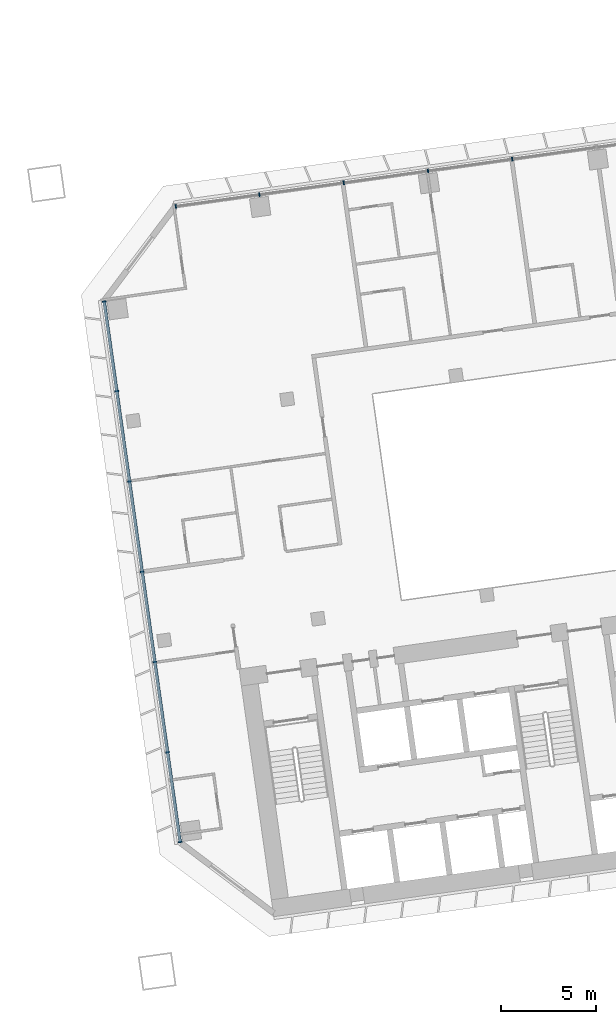
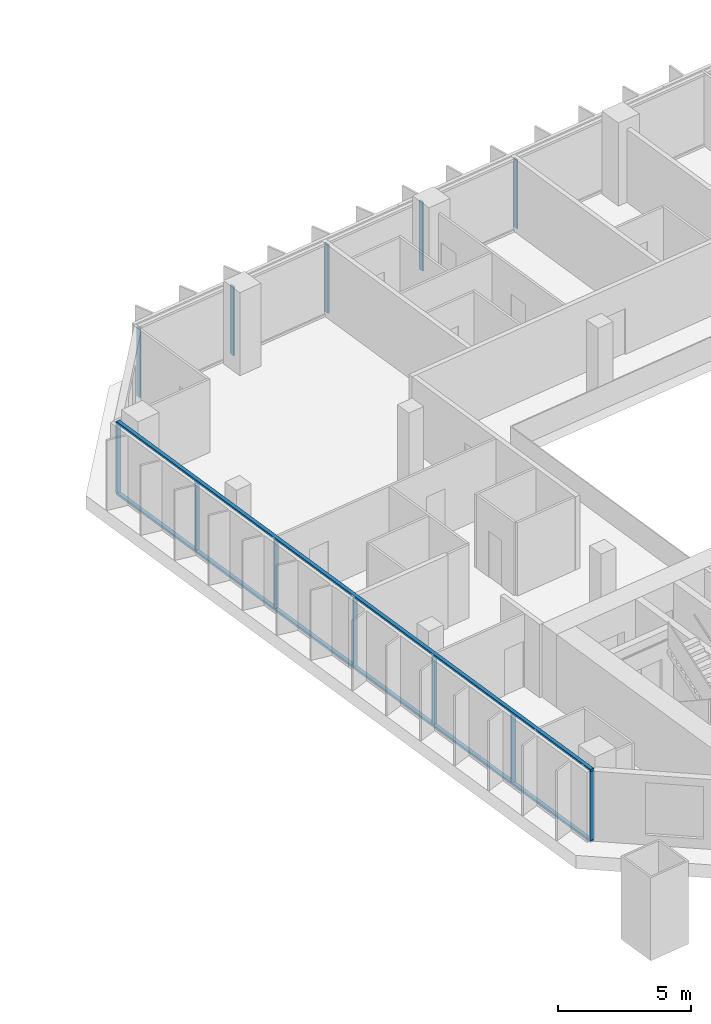
# One storey, part 7 of 25: 14 members, 2 elements without a shape of their own.
"""IFC4 building model written with IfcOpenShell, lengths in metres."""

from ifc_helpers import new_model, si_unit, direction, frame, origin, origin_2d, place, context, subcontext, project, spatial, rectangle, extrude, material, material_profile, profile_set, type_object, element, aggregate, save


model = new_model("IFC4")

# Units and contexts
model_context = context("Model", 3, precision=1e-05, world=origin(), true_north=direction((0.0, 1.0)))
body_context = subcontext(model_context, "Body", "Model", "MODEL_VIEW")
ifc_project = project(units=[si_unit("LENGTHUNIT", "METRE"), si_unit("AREAUNIT", "SQUARE_METRE"), si_unit("VOLUMEUNIT", "CUBIC_METRE"), si_unit("PLANEANGLEUNIT", "RADIAN"), si_unit("MASSUNIT", "GRAM", prefix="KILO")], contexts=[model_context])

# Site, building, storey
site_placement = place(None, origin())
site = spatial("IfcSite", under=ifc_project, at=site_placement, CompositionType="ELEMENT")
building_placement = place(site_placement, origin())
building = spatial("IfcBuilding", under=site, at=building_placement, Name="Mirante Cascada Hotel Towers", CompositionType="ELEMENT")
storey_placement = place(building_placement, frame((0.0, 0.0, 58.5)))
storey = spatial("IfcBuildingStorey", under=building, at=storey_placement, Name="L11", CompositionType="ELEMENT", Elevation=58.5)

# Curtain wall, members
ifc_material_1 = material(Name="Aluminium mullion and transom frame with clear laminated glass", Category="aluminium")
curtain_wall_type_1 = type_object("IfcCurtainWallType", Name="Ribbon curtain wall ECW1", PredefinedType="NOTDEFINED", material=ifc_material_1)
curtain_wall_1_placement = place(storey_placement, origin())
curtain_wall_1 = element("IfcCurtainWall", 1, at=curtain_wall_1_placement, inside=storey, type_object=curtain_wall_type_1, Name="Front ribbon wall T2 L11", PredefinedType="NOTDEFINED")
ifc_material_2 = material(Name="Anodised aluminium extrusion", Category="aluminium")
ifc_material_profile_1 = material_profile(ifc_material_2, rectangle(XDim=0.2, YDim=0.065, at=origin_2d()), Name="ECW1 MULLION 65x200")
ifc_profile_set_1 = profile_set([ifc_material_profile_1], Name="Anodised aluminium extrusion")
member_type_1 = type_object("IfcMemberType", Name="ECW1 mullion 65x200", PredefinedType="MULLION", material=ifc_profile_set_1)
member_1_placement = place(storey_placement, frame((49.684, 19.8017, 0.1), z_axis=(0.0, 0.0, 1.0), x_axis=(0.1391731, -0.9902681, 0.0)))
member_1 = element("IfcMember", 2, at=member_1_placement, type_object=member_type_1, Name="ECW1 mullion 11", PredefinedType="MULLION", context=body_context, shape_type="SweptSolid", body=[
    extrude(rectangle(XDim=0.2, YDim=0.065, at=origin_2d()), origin(), (0.0, 0.0, 1.0), 3.15),
])
member_2_placement = place(storey_placement, frame((45.2366, 19.1766, 0.1), z_axis=(0.0, 0.0, 1.0), x_axis=(0.1391731, -0.9902681, 0.0)))
member_2 = element("IfcMember", 3, at=member_2_placement, type_object=member_type_1, Name="ECW1 mullion 12", PredefinedType="MULLION", context=body_context, shape_type="SweptSolid", body=[
    extrude(rectangle(XDim=0.2, YDim=0.065, at=origin_2d()), origin(), (0.0, 0.0, 1.0), 3.15),
])
member_3_placement = place(storey_placement, frame((40.7892, 18.5516, 0.1), z_axis=(0.0, 0.0, 1.0), x_axis=(0.1391731, -0.9902681, 0.0)))
member_3 = element("IfcMember", 4, at=member_3_placement, type_object=member_type_1, Name="ECW1 mullion 13", PredefinedType="MULLION", context=body_context, shape_type="SweptSolid", body=[
    extrude(rectangle(XDim=0.2, YDim=0.065, at=origin_2d()), origin(), (0.0, 0.0, 1.0), 3.15),
])
member_4_placement = place(storey_placement, frame((36.3417, 17.9265, 0.1), z_axis=(0.0, 0.0, 1.0), x_axis=(0.1391731, -0.9902681, 0.0)))
member_4 = element("IfcMember", 5, at=member_4_placement, type_object=member_type_1, Name="ECW1 mullion 14", PredefinedType="MULLION", context=body_context, shape_type="SweptSolid", body=[
    extrude(rectangle(XDim=0.2, YDim=0.065, at=origin_2d()), origin(), (0.0, 0.0, 1.0), 3.15),
])
member_5_placement = place(storey_placement, frame((31.9265, 17.306, 0.1), z_axis=(0.0, 0.0, 1.0), x_axis=(0.1391731, -0.9902681, 0.0)))
member_5 = element("IfcMember", 6, at=member_5_placement, type_object=member_type_1, Name="ECW1 mullion 15", PredefinedType="MULLION", context=body_context, shape_type="SweptSolid", body=[
    extrude(rectangle(XDim=0.2, YDim=0.065, at=origin_2d()), origin(), (0.0, 0.0, 1.0), 3.15),
])
aggregate(curtain_wall_1, [member_1, member_2, member_3, member_4, member_5])

ifc_material_3 = material(Name="Aluminium mullion and transom frame with clear laminated glass", Category="aluminium")
curtain_wall_type_2 = type_object("IfcCurtainWallType", Name="End ribbon curtain wall ECW2", PredefinedType="NOTDEFINED", material=ifc_material_3)
curtain_wall_2_placement = place(storey_placement, origin())
curtain_wall_2 = element("IfcCurtainWall", 7, at=curtain_wall_2_placement, inside=storey, type_object=curtain_wall_type_2, Name="Inner end wall T2 L11", PredefinedType="NOTDEFINED")
ifc_material_4 = material(Name="Anodised aluminium extrusion", Category="aluminium")
ifc_material_profile_2 = material_profile(ifc_material_4, rectangle(XDim=0.2, YDim=0.065, at=origin_2d()), Name="ECW2 MULLION 65x200")
ifc_profile_set_2 = profile_set([ifc_material_profile_2], Name="Anodised aluminium extrusion")
member_type_2 = type_object("IfcMemberType", Name="ECW2 mullion 65x200", PredefinedType="MULLION", material=ifc_profile_set_2)
member_6_placement = place(storey_placement, frame((28.1437, 12.2861, 0.1), z_axis=(0.0, 0.0, 1.0), x_axis=(0.9902681, 0.1391731, 0.0)))
member_6 = element("IfcMember", 8, at=member_6_placement, type_object=member_type_2, Name="ECW2 mullion 1", PredefinedType="MULLION", context=body_context, shape_type="SweptSolid", body=[
    extrude(rectangle(XDim=0.2, YDim=0.065, at=origin_2d()), origin(), (0.0, 0.0, 1.0), 3.15),
])
member_7_placement = place(storey_placement, frame((28.809, 7.5524, 0.1), z_axis=(0.0, 0.0, 1.0), x_axis=(0.9902681, 0.1391731, 0.0)))
member_7 = element("IfcMember", 9, at=member_7_placement, type_object=member_type_2, Name="ECW2 mullion 2", PredefinedType="MULLION", context=body_context, shape_type="SweptSolid", body=[
    extrude(rectangle(XDim=0.2, YDim=0.065, at=origin_2d()), origin(), (0.0, 0.0, 1.0), 3.15),
])
member_8_placement = place(storey_placement, frame((29.4788, 2.7867, 0.1), z_axis=(0.0, 0.0, 1.0), x_axis=(0.9902681, 0.1391731, 0.0)))
member_8 = element("IfcMember", 10, at=member_8_placement, type_object=member_type_2, Name="ECW2 mullion 3", PredefinedType="MULLION", context=body_context, shape_type="SweptSolid", body=[
    extrude(rectangle(XDim=0.2, YDim=0.065, at=origin_2d()), origin(), (0.0, 0.0, 1.0), 3.15),
])
member_9_placement = place(storey_placement, frame((30.1485, -1.9791, 0.1), z_axis=(0.0, 0.0, 1.0), x_axis=(0.9902681, 0.1391731, 0.0)))
member_9 = element("IfcMember", 11, at=member_9_placement, type_object=member_type_2, Name="ECW2 mullion 4", PredefinedType="MULLION", context=body_context, shape_type="SweptSolid", body=[
    extrude(rectangle(XDim=0.2, YDim=0.065, at=origin_2d()), origin(), (0.0, 0.0, 1.0), 3.15),
])
member_10_placement = place(storey_placement, frame((30.8183, -6.7449, 0.1), z_axis=(0.0, 0.0, 1.0), x_axis=(0.9902681, 0.1391731, 0.0)))
member_10 = element("IfcMember", 12, at=member_10_placement, type_object=member_type_2, Name="ECW2 mullion 5", PredefinedType="MULLION", context=body_context, shape_type="SweptSolid", body=[
    extrude(rectangle(XDim=0.2, YDim=0.065, at=origin_2d()), origin(), (0.0, 0.0, 1.0), 3.15),
])
member_11_placement = place(storey_placement, frame((31.4881, -11.5107, 0.1), z_axis=(0.0, 0.0, 1.0), x_axis=(0.9902681, 0.1391731, 0.0)))
member_11 = element("IfcMember", 13, at=member_11_placement, type_object=member_type_2, Name="ECW2 mullion 6", PredefinedType="MULLION", context=body_context, shape_type="SweptSolid", body=[
    extrude(rectangle(XDim=0.2, YDim=0.065, at=origin_2d()), origin(), (0.0, 0.0, 1.0), 3.15),
])
member_12_placement = place(storey_placement, frame((32.1534, -16.2443, 0.1), z_axis=(0.0, 0.0, 1.0), x_axis=(0.9902681, 0.1391731, 0.0)))
member_12 = element("IfcMember", 14, at=member_12_placement, type_object=member_type_2, Name="ECW2 mullion 7", PredefinedType="MULLION", context=body_context, shape_type="SweptSolid", body=[
    extrude(rectangle(XDim=0.2, YDim=0.065, at=origin_2d()), origin(), (0.0, 0.0, 1.0), 3.15),
])
ifc_material_5 = material(Name="Anodised aluminium extrusion", Category="aluminium")
ifc_material_profile_3 = material_profile(ifc_material_5, rectangle(XDim=0.16, YDim=0.1, at=origin_2d()), Name="ECW2 TRANSOM 100x160")
ifc_profile_set_3 = profile_set([ifc_material_profile_3], Name="Anodised aluminium extrusion")
member_type_3 = type_object("IfcMemberType", Name="ECW2 transom 100x160", PredefinedType="USERDEFINED", material=ifc_profile_set_3)
member_13_placement = place(storey_placement, frame((28.1392, 12.3182, 0.05), z_axis=(0.1391723, -0.9902682, 0.0), x_axis=(0.9902682, 0.1391723, 0.0)))
member_13 = element("IfcMember", 15, at=member_13_placement, type_object=member_type_3, Name="ECW2 sill transom", ObjectType="TRANSOM", PredefinedType="USERDEFINED", context=body_context, shape_type="SweptSolid", body=[
    extrude(rectangle(XDim=0.16, YDim=0.1, at=origin_2d()), origin(), (0.0, 0.0, 1.0), 28.8757),
])
member_14_placement = place(storey_placement, frame((28.1392, 12.3182, 3.3), z_axis=(0.1391723, -0.9902682, 0.0), x_axis=(0.9902682, 0.1391723, 0.0)))
member_14 = element("IfcMember", 16, at=member_14_placement, type_object=member_type_3, Name="ECW2 head transom", ObjectType="TRANSOM", PredefinedType="USERDEFINED", context=body_context, shape_type="SweptSolid", body=[
    extrude(rectangle(XDim=0.16, YDim=0.1, at=origin_2d()), origin(), (0.0, 0.0, 1.0), 28.8757),
])
aggregate(curtain_wall_2, [member_13, member_14, member_6, member_7, member_8, member_9, member_10, member_11, member_12])

save(model, "model.ifc")
